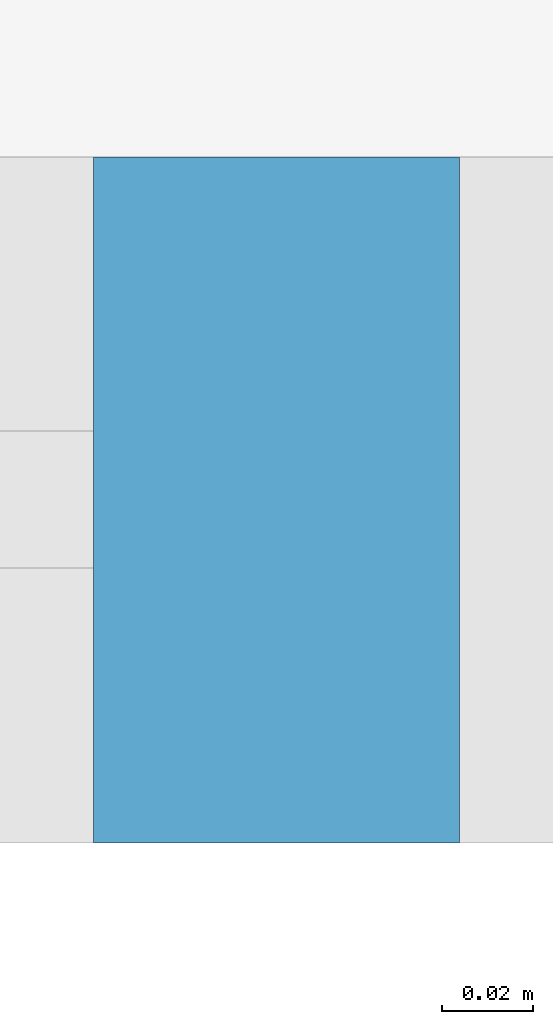
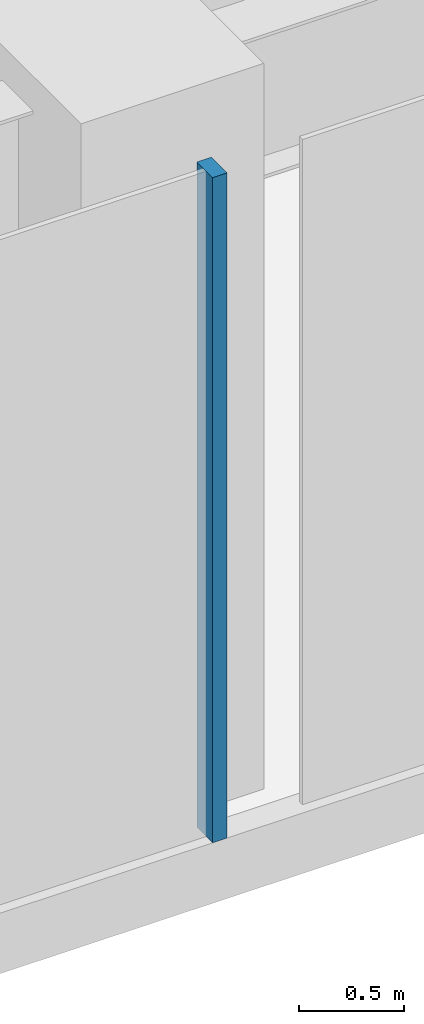
# One storey, part 4 of 29: 1 member, 1 element without a shape of its own.
"""IFC4 building model written with IfcOpenShell, lengths in metres."""

from ifc_helpers import new_model, si_unit, direction, frame, origin, origin_2d, place, context, subcontext, project, spatial, rectangle, extrude, material, layer, layer_set, material_profile, profile_set, type_object, element, aggregate, save


model = new_model("IFC4")

# Units and contexts
model_context = context("Model", 3, precision=1e-05, world=origin(), true_north=direction((0.0, 1.0)))
body_context = subcontext(model_context, "Body", "Model", "MODEL_VIEW")
ifc_project = project(units=[si_unit("LENGTHUNIT", "METRE"), si_unit("AREAUNIT", "SQUARE_METRE"), si_unit("VOLUMEUNIT", "CUBIC_METRE"), si_unit("PLANEANGLEUNIT", "RADIAN"), si_unit("MASSUNIT", "GRAM", prefix="KILO")], contexts=[model_context])

# Site, building, storey
site_placement = place(None, origin())
site = spatial("IfcSite", under=ifc_project, at=site_placement, CompositionType="ELEMENT")
building_placement = place(site_placement, origin())
building = spatial("IfcBuilding", under=site, at=building_placement, Name="Firuza Gate Tower and Library", CompositionType="ELEMENT")
storey_placement = place(building_placement, frame((0.0, 0.0, 44.199951171875)))
storey = spatial("IfcBuildingStorey", under=building, at=storey_placement, Name="L09", CompositionType="ELEMENT", Elevation=44.199951171875)

# Curtain wall, member
ifc_material_1 = material(Name="Aluminium 6063-T6", Category="aluminium")
ifc_layer = layer(ifc_material_1, 0.14990234375)
ifc_layer_set = layer_set([ifc_layer], Name="Unitised curtain wall, offices")
curtain_wall_type = type_object("IfcCurtainWallType", Name="Unitised curtain wall, offices", PredefinedType="NOTDEFINED", material=ifc_layer_set)
curtain_wall_placement = place(storey_placement, origin())
curtain_wall = element("IfcCurtainWall", 1, at=curtain_wall_placement, inside=storey, type_object=curtain_wall_type, Name="CW1 L09 S face", PredefinedType="NOTDEFINED")
ifc_material_2 = material(Name="Aluminium 6063-T6", Category="aluminium")
ifc_material_profile = material_profile(ifc_material_2, rectangle(XDim=0.14990234375, YDim=0.080078125, at=origin_2d()))
ifc_profile_set = profile_set([ifc_material_profile], Name="Aluminium 6063-T6")
member_type = type_object("IfcMemberType", Name="Curtain wall mullion 80x150", PredefinedType="MULLION", material=ifc_profile_set)
member_placement = place(storey_placement, frame((75.0, 54.140380859375, 0.150146484375), z_axis=(0.0, 0.0, 1.0), x_axis=(0.0, 1.0, 0.0)))
member = element("IfcMember", 2, at=member_placement, type_object=member_type, Name="Mullion", PredefinedType="MULLION", context=body_context, shape_type="SweptSolid", body=[
    extrude(rectangle(XDim=0.14990234375, YDim=0.080078125, at=origin_2d()), origin(), (0.0, 0.0, 1.0), 3.849853515625),
])
aggregate(curtain_wall, [member])

save(model, "model.ifc")
